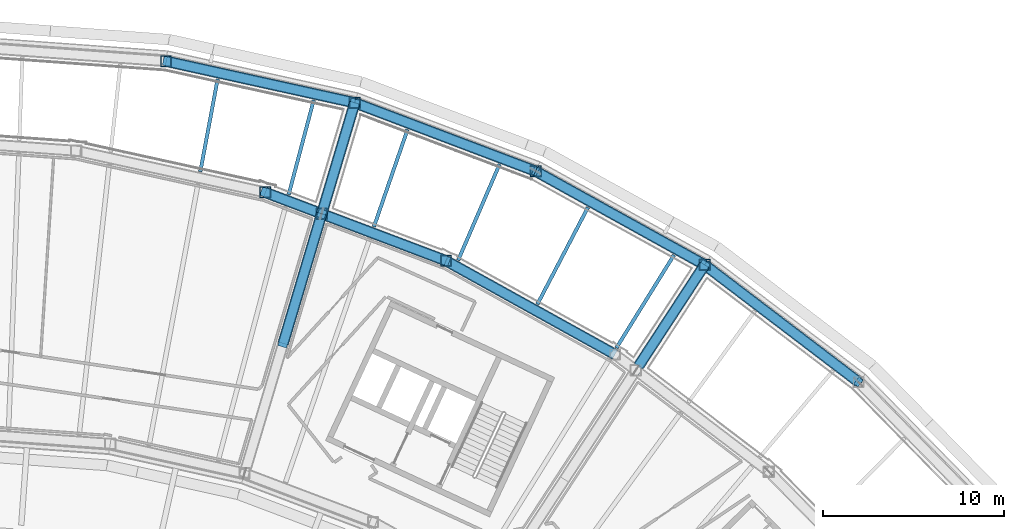
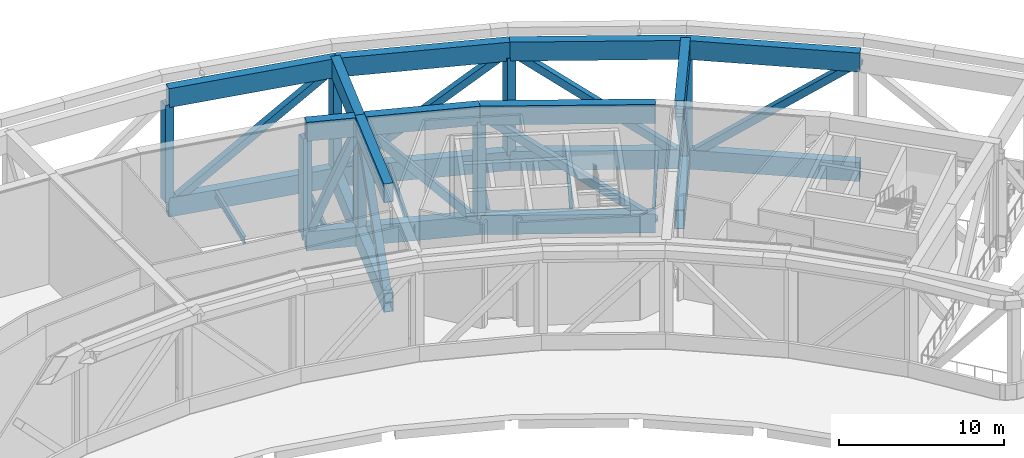
# One storey, part 5 of 27: 26 beams, 17 members.
"""IFC4 building model written with IfcOpenShell, lengths in metres."""

from ifc_helpers import new_model, si_unit, direction, frame, origin, origin_2d, place, context, subcontext, project, spatial, hollow_rectangle, i_section, extrude, material, material_profile, profile_set, type_object, element, save


model = new_model("IFC4")

# Units and contexts
model_context = context("Model", 3, precision=1e-05, world=origin(), true_north=direction((0.0, 1.0)))
body_context = subcontext(model_context, "Body", "Model", "MODEL_VIEW")
ifc_project = project(units=[si_unit("LENGTHUNIT", "METRE"), si_unit("AREAUNIT", "SQUARE_METRE"), si_unit("VOLUMEUNIT", "CUBIC_METRE"), si_unit("PLANEANGLEUNIT", "RADIAN"), si_unit("MASSUNIT", "GRAM", prefix="KILO")], contexts=[model_context])

# Site, building, storey
site_placement = place(None, origin())
site = spatial("IfcSite", under=ifc_project, at=site_placement, CompositionType="ELEMENT")
building_placement = place(site_placement, origin())
building = spatial("IfcBuilding", under=site, at=building_placement, Name="Tuul Gate Civic Tower", CompositionType="ELEMENT")
storey_placement = place(building_placement, frame((0.0, 0.0, 201.5)))
storey = spatial("IfcBuildingStorey", under=building, at=storey_placement, Name="Wind floor 1", CompositionType="ELEMENT", Elevation=201.5)

# Beams
ifc_material_1 = material(Name="Steel S355", Category="steel")
ifc_material_profile_1 = material_profile(ifc_material_1, i_section(OverallWidth=0.199951171875, OverallDepth=0.5, WebThickness=0.010009765625, FlangeThickness=0.01611328125, at=origin_2d()), Name="PG500x200x10x16")
ifc_profile_set_1 = profile_set([ifc_material_profile_1], Name="Steel S355")
beam_type_1 = type_object("IfcBeamType", Name="STR-FLOOR BEAM-PG500x200x10x16", PredefinedType="BEAM", material=ifc_profile_set_1)
beam_1_placement = place(storey_placement, frame((41.46435546875, 1.953125, -0.64990234375), z_axis=(0.527043670646, 0.849838201796, 0.0), x_axis=(-0.849838201796, 0.527043670646, 0.0)))
element("IfcBeam", 1, at=beam_1_placement, inside=storey, type_object=beam_type_1, Name="Floor beam", PredefinedType="BEAM", context=body_context, shape_type="SweptSolid", body=[
    extrude(i_section(OverallWidth=0.199951171875, OverallDepth=0.5, WebThickness=0.010009765625, FlangeThickness=0.01611328125, at=origin_2d()), origin(), (0.0, 0.0, 1.0), 6.036376953125),
])
beam_2_placement = place(storey_placement, frame((37.103759765625, 4.37060546875, -0.64990234375), z_axis=(0.462740328679, 0.88649387376, 0.0), x_axis=(-0.88649387376, 0.462740328679, 0.0)))
element("IfcBeam", 2, at=beam_2_placement, inside=storey, type_object=beam_type_1, Name="Floor beam", PredefinedType="BEAM", context=body_context, shape_type="SweptSolid", body=[
    extrude(i_section(OverallWidth=0.199951171875, OverallDepth=0.5, WebThickness=0.010009765625, FlangeThickness=0.01611328125, at=origin_2d()), origin(), (0.0, 0.0, 1.0), 6.030517578125),
])
beam_3_placement = place(storey_placement, frame((32.726806640625, 6.797119140625, -0.64990234375), z_axis=(0.395929586648, 0.918280873381, 0.0), x_axis=(-0.918280873381, 0.395929586648, 0.0)))
element("IfcBeam", 3, at=beam_3_placement, inside=storey, type_object=beam_type_1, Name="Floor beam", PredefinedType="BEAM", context=body_context, shape_type="SweptSolid", body=[
    extrude(i_section(OverallWidth=0.199951171875, OverallDepth=0.5, WebThickness=0.010009765625, FlangeThickness=0.01611328125, at=origin_2d()), origin(), (0.0, 0.0, 1.0), 5.772216796875),
])
beam_4_placement = place(storey_placement, frame((28.07373046875, 8.649169921875, -0.64990234375), z_axis=(0.326918719855, 0.945052459183, 0.0), x_axis=(-0.945052459183, 0.326918719855, 0.0)))
element("IfcBeam", 4, at=beam_4_placement, inside=storey, type_object=beam_type_1, Name="Floor beam", PredefinedType="BEAM", context=body_context, shape_type="SweptSolid", body=[
    extrude(i_section(OverallWidth=0.199951171875, OverallDepth=0.5, WebThickness=0.010009765625, FlangeThickness=0.01611328125, at=origin_2d()), origin(), (0.0, 0.0, 1.0), 5.682373046875),
])
beam_5_placement = place(storey_placement, frame((23.3662109375, 10.428955078125, -0.64990234375), z_axis=(0.256167763719, 0.966632337981, 0.0), x_axis=(-0.966632337981, 0.256167763719, 0.0)))
element("IfcBeam", 5, at=beam_5_placement, inside=storey, type_object=beam_type_1, Name="Floor beam", PredefinedType="BEAM", context=body_context, shape_type="SweptSolid", body=[
    extrude(i_section(OverallWidth=0.199951171875, OverallDepth=0.5, WebThickness=0.010009765625, FlangeThickness=0.01611328125, at=origin_2d()), origin(), (0.0, 0.0, 1.0), 5.388427734375),
])
beam_6_placement = place(storey_placement, frame((18.485107421875, 11.69384765625, -0.64990234375), z_axis=(0.183979649834, 0.982930052673, 0.0), x_axis=(-0.982930052673, 0.183979649834, 0.0)))
element("IfcBeam", 6, at=beam_6_placement, inside=storey, type_object=beam_type_1, Name="Floor beam", PredefinedType="BEAM", context=body_context, shape_type="SweptSolid", body=[
    extrude(i_section(OverallWidth=0.199951171875, OverallDepth=0.5, WebThickness=0.010009765625, FlangeThickness=0.01611328125, at=origin_2d()), origin(), (0.0, 0.0, 1.0), 5.201904296875),
])
ifc_material_2 = material(Name="Steel S460", Category="steel")
ifc_material_profile_2 = material_profile(ifc_material_2, hollow_rectangle(XDim=0.60009765625, YDim=1.39990234375, WallThickness=0.031982421875, at=origin_2d()), Name="BOX1400x600x32")
ifc_profile_set_2 = profile_set([ifc_material_profile_2], Name="Steel S460")
beam_type_2 = type_object("IfcBeamType", Name="STR-TRANSFER TRUSS CHORD-BOX1400x600x32", PredefinedType="BEAM", material=ifc_profile_set_2)
for number, where, z_axis, x_axis, name in (
    (7, (46.342041015625, 6.54296875, -1.10009765625), (-0.546733261629, -0.837306837801, 0.0), (0.837306837801, -0.546733261629, 0.0), "Radial truss bottom chord"),
    (8, (46.342041015625, 6.54296875, 7.0), (-0.546733261629, -0.837306837801, 0.0), (0.837306837801, -0.546733261629, 0.0), "Radial truss top chord"),
):
    element("IfcBeam", number, at=place(storey_placement, frame(where, z_axis=z_axis, x_axis=x_axis)), inside=storey, type_object=beam_type_2, Name=name, PredefinedType="BEAM", context=body_context, shape_type="SweptSolid", body=[
        extrude(hollow_rectangle(XDim=0.60009765625, YDim=1.39990234375, WallThickness=0.031982421875, at=origin_2d()), origin(), (0.0, 0.0, 1.0), 6.654296875),
    ])
beam_7_placement = place(storey_placement, frame((27.01611328125, 15.49609375, -1.10009765625), z_axis=(-0.28523940427, -0.958456301691, 0.0), x_axis=(0.958456301691, -0.28523940427, 0.0)))
element("IfcBeam", 9, at=beam_7_placement, inside=storey, type_object=beam_type_2, Name="Radial truss bottom chord", PredefinedType="BEAM", context=body_context, shape_type="SweptSolid", body=[
    extrude(hollow_rectangle(XDim=0.60009765625, YDim=1.39990234375, WallThickness=0.031982421875, at=origin_2d()), origin(), (0.0, 0.0, 1.0), 6.397216796875),
])
beam_8_placement = place(storey_placement, frame((25.19140625, 9.36474609375, -1.10009765625), z_axis=(-0.285185056715, -0.958472474006, 0.0), x_axis=(0.958472474006, -0.285185056715, 0.0)))
element("IfcBeam", 10, at=beam_8_placement, inside=storey, type_object=beam_type_2, Name="Radial truss bottom chord", PredefinedType="BEAM", context=body_context, shape_type="SweptSolid", body=[
    extrude(hollow_rectangle(XDim=0.60009765625, YDim=1.39990234375, WallThickness=0.031982421875, at=origin_2d()), origin(), (0.0, 0.0, 1.0), 7.4794921875),
])
beam_9_placement = place(storey_placement, frame((27.01611328125, 15.49609375, 7.0), z_axis=(-0.28523940427, -0.958456301691, 0.0), x_axis=(0.958456301691, -0.28523940427, 0.0)))
element("IfcBeam", 11, at=beam_9_placement, inside=storey, type_object=beam_type_2, Name="Radial truss top chord", PredefinedType="BEAM", context=body_context, shape_type="SweptSolid", body=[
    extrude(hollow_rectangle(XDim=0.60009765625, YDim=1.39990234375, WallThickness=0.031982421875, at=origin_2d()), origin(), (0.0, 0.0, 1.0), 6.397216796875),
])
beam_10_placement = place(storey_placement, frame((25.19140625, 9.36474609375, 7.0), z_axis=(-0.285185056715, -0.958472474006, 0.0), x_axis=(0.958472474006, -0.285185056715, 0.0)))
element("IfcBeam", 12, at=beam_10_placement, inside=storey, type_object=beam_type_2, Name="Radial truss top chord", PredefinedType="BEAM", context=body_context, shape_type="SweptSolid", body=[
    extrude(hollow_rectangle(XDim=0.60009765625, YDim=1.39990234375, WallThickness=0.031982421875, at=origin_2d()), origin(), (0.0, 0.0, 1.0), 7.4794921875),
])
for number, where, z_axis, x_axis, name in (
    (13, (46.342041015625, 6.54296875, -1.10009765625), (-0.874648637589, 0.48475742466, 0.0), (-0.48475742466, -0.874648637589, 0.0), "Belt truss bottom chord"),
    (14, (46.342041015625, 6.54296875, 7.0), (-0.874648637589, 0.48475742466, 0.0), (-0.48475742466, -0.874648637589, 0.0), "Belt truss top chord"),
):
    element("IfcBeam", number, at=place(storey_placement, frame(where, z_axis=z_axis, x_axis=x_axis)), inside=storey, type_object=beam_type_2, Name=name, PredefinedType="BEAM", context=body_context, shape_type="SweptSolid", body=[
        extrude(hollow_rectangle(XDim=0.60009765625, YDim=1.39990234375, WallThickness=0.031982421875, at=origin_2d()), origin(), (0.0, 0.0, 1.0), 10.677490234375),
    ])
for number, where, z_axis, x_axis, name in (
    (15, (37.0029296875, 11.718994140625, -1.10009765625), (-0.935338816022, 0.35375316146, 0.0), (-0.35375316146, -0.935338816022, 0.0), "Belt truss bottom chord"),
    (16, (37.0029296875, 11.718994140625, 7.0), (-0.935338816022, 0.35375316146, 0.0), (-0.35375316146, -0.935338816022, 0.0), "Belt truss top chord"),
    (17, (27.01611328125, 15.49609375, -1.10009765625), (-0.976567537007, 0.215211165288, 0.0), (-0.215211165288, -0.976567537007, 0.0), "Belt truss bottom chord"),
    (18, (27.01611328125, 15.49609375, 7.0), (-0.976567537007, 0.215211165288, 0.0), (-0.215211165288, -0.976567537007, 0.0), "Belt truss top chord"),
):
    element("IfcBeam", number, at=place(storey_placement, frame(where, z_axis=z_axis, x_axis=x_axis)), inside=storey, type_object=beam_type_2, Name=name, PredefinedType="BEAM", context=body_context, shape_type="SweptSolid", body=[
        extrude(hollow_rectangle(XDim=0.60009765625, YDim=1.39990234375, WallThickness=0.031982421875, at=origin_2d()), origin(), (0.0, 0.0, 1.0), 10.67724609375),
    ])
for number, where, z_axis, x_axis, name in (
    (19, (54.8369140625, 0.074951171875, -1.10009765625), (-0.795624318965, 0.605790345806, 0.0), (-0.605790345806, -0.795624318965, 0.0), "Belt truss bottom chord"),
    (20, (54.8369140625, 0.074951171875, 7.0), (-0.795624318965, 0.605790345806, 0.0), (-0.605790345806, -0.795624318965, 0.0), "Belt truss top chord"),
):
    element("IfcBeam", number, at=place(storey_placement, frame(where, z_axis=z_axis, x_axis=x_axis)), inside=storey, type_object=beam_type_2, Name=name, PredefinedType="BEAM", context=body_context, shape_type="SweptSolid", body=[
        extrude(hollow_rectangle(XDim=0.60009765625, YDim=1.39990234375, WallThickness=0.031982421875, at=origin_2d()), origin(), (0.0, 0.0, 1.0), 10.677001953125),
    ])
for number, where, z_axis, x_axis, name in (
    (21, (41.39208984375, 1.593017578125, -1.10009765625), (-0.874588358597, 0.484866170202, 0.0), (-0.484866170202, -0.874588358597, 0.0), "Belt truss bottom chord"),
    (22, (41.39208984375, 1.593017578125, 7.0), (-0.874588358597, 0.484866170202, 0.0), (-0.484866170202, -0.874588358597, 0.0), "Belt truss top chord"),
):
    element("IfcBeam", number, at=place(storey_placement, frame(where, z_axis=z_axis, x_axis=x_axis)), inside=storey, type_object=beam_type_2, Name=name, PredefinedType="BEAM", context=body_context, shape_type="SweptSolid", body=[
        extrude(hollow_rectangle(XDim=0.60009765625, YDim=1.39990234375, WallThickness=0.031982421875, at=origin_2d()), origin(), (0.0, 0.0, 1.0), 10.67724609375),
    ])
beam_11_placement = place(storey_placement, frame((32.053955078125, 6.77001953125, -1.10009765625), z_axis=(-0.935373145537, 0.353662379408, 0.0), x_axis=(-0.353662379408, -0.935373145537, 0.0)))
element("IfcBeam", 23, at=beam_11_placement, inside=storey, type_object=beam_type_2, Name="Belt truss bottom chord", PredefinedType="BEAM", context=body_context, shape_type="SweptSolid", body=[
    extrude(hollow_rectangle(XDim=0.60009765625, YDim=1.39990234375, WallThickness=0.031982421875, at=origin_2d()), origin(), (0.0, 0.0, 1.0), 7.03564453125),
])
beam_12_placement = place(storey_placement, frame((24.91015625, 9.470947265625, -1.10009765625), z_axis=(-0.935381783648, 0.35363953232, 0.0), x_axis=(-0.35363953232, -0.935381783648, 0.0)))
element("IfcBeam", 24, at=beam_12_placement, inside=storey, type_object=beam_type_2, Name="Belt truss bottom chord", PredefinedType="BEAM", context=body_context, shape_type="SweptSolid", body=[
    extrude(hollow_rectangle(XDim=0.60009765625, YDim=1.39990234375, WallThickness=0.031982421875, at=origin_2d()), origin(), (0.0, 0.0, 1.0), 3.039794921875),
])
beam_13_placement = place(storey_placement, frame((32.053955078125, 6.77001953125, 7.0), z_axis=(-0.935373145537, 0.353662379408, 0.0), x_axis=(-0.353662379408, -0.935373145537, 0.0)))
element("IfcBeam", 25, at=beam_13_placement, inside=storey, type_object=beam_type_2, Name="Belt truss top chord", PredefinedType="BEAM", context=body_context, shape_type="SweptSolid", body=[
    extrude(hollow_rectangle(XDim=0.60009765625, YDim=1.39990234375, WallThickness=0.031982421875, at=origin_2d()), origin(), (0.0, 0.0, 1.0), 7.03564453125),
])
beam_14_placement = place(storey_placement, frame((24.91015625, 9.470947265625, 7.0), z_axis=(-0.935381783648, 0.35363953232, 0.0), x_axis=(-0.35363953232, -0.935381783648, 0.0)))
element("IfcBeam", 26, at=beam_14_placement, inside=storey, type_object=beam_type_2, Name="Belt truss top chord", PredefinedType="BEAM", context=body_context, shape_type="SweptSolid", body=[
    extrude(hollow_rectangle(XDim=0.60009765625, YDim=1.39990234375, WallThickness=0.031982421875, at=origin_2d()), origin(), (0.0, 0.0, 1.0), 3.039794921875),
])

# Members
ifc_material_3 = material(Name="Steel S355", Category="steel")
ifc_material_profile_3 = material_profile(ifc_material_3, hollow_rectangle(XDim=0.5, YDim=0.5, WallThickness=0.02001953125, at=origin_2d()), Name="BOX500x500x20")
ifc_profile_set_3 = profile_set([ifc_material_profile_3], Name="Steel S355")
member_type_1 = type_object("IfcMemberType", Name="STR-TRANSFER TRUSS DIAGONAL-BOX500x500x20", PredefinedType="BRACE", material=ifc_profile_set_3)
member_1_placement = place(storey_placement, frame((46.34375, 6.545654296875, -1.103759765625), z_axis=(-0.356167366491, -0.545468379881, 0.758689036165), x_axis=(0.83731047601, -0.546727689772, 0.0)))
element("IfcMember", 27, at=member_1_placement, inside=storey, type_object=member_type_1, Name="Radial truss web", PredefinedType="BRACE", context=body_context, shape_type="SweptSolid", body=[
    extrude(hollow_rectangle(XDim=0.5, YDim=0.5, WallThickness=0.02001953125, at=origin_2d()), origin(), (0.0, 0.0, 1.0), 10.6865234375),
])
member_2_placement = place(storey_placement, frame((27.016845703125, 15.4990234375, -1.10400390625), z_axis=(-0.176756407677, -0.594048039118, 0.784770093445), x_axis=(0.958471310947, -0.285188965587, 0.0)))
element("IfcMember", 28, at=member_2_placement, inside=storey, type_object=member_type_1, Name="Radial truss web", PredefinedType="BRACE", context=body_context, shape_type="SweptSolid", body=[
    extrude(hollow_rectangle(XDim=0.5, YDim=0.5, WallThickness=0.02001953125, at=origin_2d()), origin(), (0.0, 0.0, 1.0), 10.33154296875),
])
member_3_placement = place(storey_placement, frame((23.057373046875, 2.192626953125, -1.103759765625), z_axis=(0.193474474604, 0.650224677941, 0.734694151245), x_axis=(-0.958470121244, 0.285192963943, 0.0)))
element("IfcMember", 29, at=member_3_placement, inside=storey, type_object=member_type_1, Name="Radial truss web", PredefinedType="BRACE", context=body_context, shape_type="SweptSolid", body=[
    extrude(hollow_rectangle(XDim=0.5, YDim=0.5, WallThickness=0.02001953125, at=origin_2d()), origin(), (0.0, 0.0, 1.0), 11.03515625),
])
for number, where, z_axis, x_axis, name in (
    (30, (46.345458984375, 6.541015625, -1.10302734375), (-0.69682848813, 0.386212743467, 0.604375524748), (-0.484765841291, -0.874643972779, 0.0), "Belt truss web"),
    (31, (27.01220703125, 15.497314453125, -1.10302734375), (0.745191830705, -0.281817869045, 0.604373910867), (0.353731120355, 0.93534715186, 0.0), "Belt truss web"),
):
    element("IfcMember", number, at=place(storey_placement, frame(where, z_axis=z_axis, x_axis=x_axis)), inside=storey, type_object=member_type_1, Name=name, PredefinedType="BRACE", context=body_context, shape_type="SweptSolid", body=[
        extrude(hollow_rectangle(XDim=0.5, YDim=0.5, WallThickness=0.02001953125, at=origin_2d()), origin(), (0.0, 0.0, 1.0), 13.412109375),
    ])
for number, where, z_axis, x_axis, name in (
    (32, (16.585205078125, 17.794921875, -1.10302734375), (0.778015199557, -0.171476443141, 0.604390750016), (0.21523662478, 0.976561926021, 0.0), "Belt truss web"),
    (33, (46.3388671875, 6.54541015625, -1.10302734375), (0.633862418972, -0.482628135729, 0.604391029399), (0.605793289687, 0.795622077478, 0.0), "Belt truss web"),
    (34, (41.3955078125, 1.591064453125, -1.10302734375), (-0.696771431228, 0.386294290098, 0.604389190888), (-0.484874506433, -0.874583736993, 0.0), "Belt truss web"),
):
    element("IfcMember", number, at=place(storey_placement, frame(where, z_axis=z_axis, x_axis=x_axis)), inside=storey, type_object=member_type_1, Name=name, PredefinedType="BRACE", context=body_context, shape_type="SweptSolid", body=[
        extrude(hollow_rectangle(XDim=0.5, YDim=0.5, WallThickness=0.02001953125, at=origin_2d()), origin(), (0.0, 0.0, 1.0), 13.411865234375),
    ])
member_4_placement = place(storey_placement, frame((32.05712890625, 6.768798828125, -1.103759765625), z_axis=(-0.627938851287, 0.237427172561, 0.741162017898), x_axis=(-0.353668862475, -0.935370694279, 0.0)))
element("IfcMember", 35, at=member_4_placement, inside=storey, type_object=member_type_1, Name="Belt truss web", PredefinedType="BRACE", context=body_context, shape_type="SweptSolid", body=[
    extrude(hollow_rectangle(XDim=0.5, YDim=0.5, WallThickness=0.02001953125, at=origin_2d()), origin(), (0.0, 0.0, 1.0), 10.938720703125),
])
member_5_placement = place(storey_placement, frame((22.065185546875, 10.546630859375, -1.104736328125), z_axis=(0.356613519712, -0.134819003316, 0.924473165594), x_axis=(0.353626287083, 0.935386791164, 0.0)))
element("IfcMember", 36, at=member_5_placement, inside=storey, type_object=member_type_1, Name="Belt truss web", PredefinedType="BRACE", context=body_context, shape_type="SweptSolid", body=[
    extrude(hollow_rectangle(XDim=0.5, YDim=0.5, WallThickness=0.02001953125, at=origin_2d()), origin(), (0.0, 0.0, 1.0), 8.77197265625),
])
ifc_material_4 = material(Name="Steel S355", Category="steel")
ifc_material_profile_4 = material_profile(ifc_material_4, hollow_rectangle(XDim=0.60009765625, YDim=0.60009765625, WallThickness=0.028076171875, at=origin_2d()), Name="BOX600x600x28")
ifc_profile_set_4 = profile_set([ifc_material_profile_4], Name="Steel S355")
member_type_2 = type_object("IfcMemberType", Name="STR-TRUSS POST-BOX600x600x28", PredefinedType="POST", material=ifc_profile_set_4)
for number, where, z_axis, x_axis, name in (
    (37, (46.342041015625, 6.54296875, -0.64501953125), (0.0, 0.0, 1.0), (1.0, 0.0, 0.0), "Radial truss post"),
    (38, (27.01611328125, 15.49609375, -0.64501953125), (0.0, 0.0, 1.0), (1.0, 0.0, 0.0), "Radial truss post"),
    (39, (25.19140625, 9.36474609375, -0.64501953125), (0.0, 0.0, 1.0), (1.0, 0.0, 0.0), "Radial truss post"),
    (40, (22.06689453125, 10.5458984375, -0.64501953125), (0.0, 0.0, 1.0), (1.0, 0.0, 0.0), "Belt truss post"),
    (41, (37.0029296875, 11.718994140625, -0.64501953125), (0.0, 0.0, 1.0), (1.0, 0.0, 0.0), "Belt truss post"),
    (42, (16.589111328125, 17.7939453125, -0.64501953125), (0.0, 0.0, 1.0), (1.0, 0.0, 0.0), "Belt truss post"),
    (43, (32.053955078125, 6.77001953125, -0.64501953125), (0.0, 0.0, 1.0), (1.0, 0.0, 0.0), "Belt truss post"),
):
    element("IfcMember", number, at=place(storey_placement, frame(where, z_axis=z_axis, x_axis=x_axis)), inside=storey, type_object=member_type_2, Name=name, PredefinedType="POST", context=body_context, shape_type="SweptSolid", body=[
        extrude(hollow_rectangle(XDim=0.60009765625, YDim=0.60009765625, WallThickness=0.028076171875, at=origin_2d()), origin(), (0.0, 0.0, 1.0), 7.18994140625),
    ])

save(model, "model.ifc")
